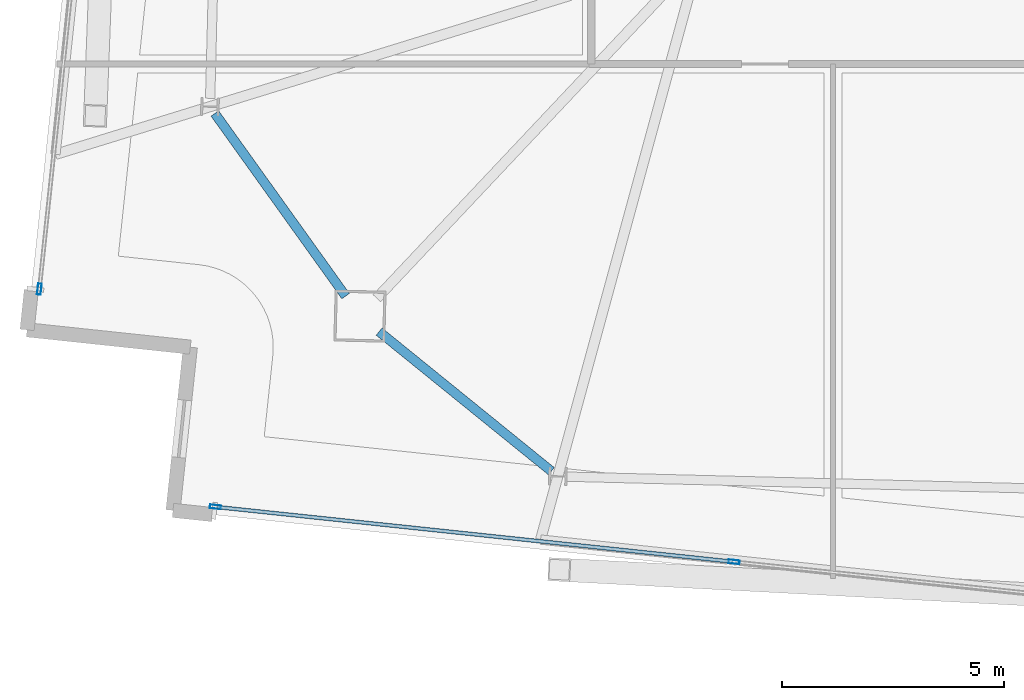
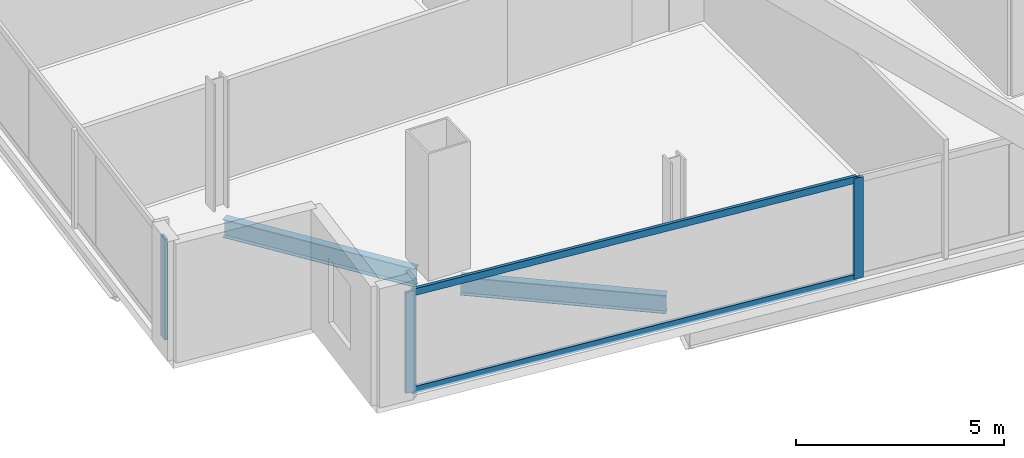
# One storey, part 2 of 24: 5 members, 2 beams, 2 elements without a shape of their own.
"""IFC4 building model written with IfcOpenShell, lengths in metres."""

import ifcopenshell
import ifcopenshell.guid

model = None  # the IFC model being written
_history = None  # IfcOwnerHistory: only IFC2X3 demands one
_inside = {}  # id of a spatial element -> (the spatial element, [elements in it])
_under = {}  # id of a project, library or spatial element -> (it, [spatial elements below it])
_declared = {}  # id of a project -> (the project, [libraries it declares])
_typed = {}  # id of a type object -> (the type object, [elements of that type])
_made_of = {}  # id of a material, layer set ... -> (it, [elements and type objects made of it])


def new_model(schema):
    """Start an empty IFC model of exactly this schema.

    Asked for "IFC4X3", IfcOpenShell would pick the latest addendum, in which some entities
    have other attributes; the version numbers below select the first issue.
    IFC2X3 requires an IfcOwnerHistory on every rooted entity: one is made here for all.
    """
    global model, _history
    if schema == "IFC4X3":
        model = ifcopenshell.file(schema_version=(4, 3, 0, 0))
    else:
        model = ifcopenshell.file(schema=schema)
    _inside.clear()
    _under.clear()
    _declared.clear()
    _typed.clear()
    _made_of.clear()
    _history = None
    if model.schema == "IFC2X3":
        org = make("IfcOrganization", Name="unknown")
        user = make(
            "IfcPersonAndOrganization",
            ThePerson=make("IfcPerson", FamilyName="unknown"),
            TheOrganization=org,
        )
        app = make(
            "IfcApplication",
            ApplicationDeveloper=org,
            Version="unknown",
            ApplicationFullName="unknown",
            ApplicationIdentifier="unknown",
        )
        _history = make(
            "IfcOwnerHistory",
            OwningUser=user,
            OwningApplication=app,
            ChangeAction="ADDED",
            CreationDate=0,
        )
    return model


def make(cls, **values):
    """One entity of the class cls with the attributes given. An attribute that is None is left unset."""
    return model.create_entity(
        cls, **{name: value for name, value in values.items() if value is not None}
    )


def rooted(cls, **values):
    """An entity with a GlobalId (a new one), such as an element, a storey or a relation."""
    return make(cls, GlobalId=ifcopenshell.guid.new(), OwnerHistory=_history, **values)


def si_unit(unit_type, name, prefix=None):
    """IfcSIUnit, for example si_unit("LENGTHUNIT", "METRE", prefix="MILLI")."""
    return make("IfcSIUnit", UnitType=unit_type, Prefix=prefix, Name=name)


def assignment(units):
    """IfcUnitAssignment: the units of a project."""
    return None if units is None else make("IfcUnitAssignment", Units=units)


def point(xyz):
    """IfcCartesianPoint."""
    return None if xyz is None else make("IfcCartesianPoint", Coordinates=xyz)


def direction(xyz):
    """IfcDirection."""
    return None if xyz is None else make("IfcDirection", DirectionRatios=xyz)


def frame(location, z_axis=None, x_axis=None):
    """IfcAxis2Placement3D, a coordinate frame: its origin and axes. An axis left out is left unset."""
    return make(
        "IfcAxis2Placement3D",
        Location=point(location),
        Axis=direction(z_axis),
        RefDirection=direction(x_axis),
    )


def frame_2d(location, x_axis=None):
    """IfcAxis2Placement2D, a coordinate frame in the plane: its origin and x axis."""
    return make(
        "IfcAxis2Placement2D", Location=point(location), RefDirection=direction(x_axis)
    )


def origin():
    """The frame at (0, 0, 0) with its axes left unset."""
    return frame((0.0, 0.0, 0.0))


def origin_2d():
    """The frame at (0, 0) in the plane with its x axis left unset."""
    return frame_2d((0.0, 0.0))


def place(relative_to, where):
    """IfcLocalPlacement: puts the frame where relative to a parent placement (None: the world)."""
    return make(
        "IfcLocalPlacement", PlacementRelTo=relative_to, RelativePlacement=where
    )


def context(
    kind, dimensions, precision=None, world=None, true_north=None, identifier=None
):
    """IfcGeometricRepresentationContext, for example the 3D "Model" context."""
    return make(
        "IfcGeometricRepresentationContext",
        ContextIdentifier=identifier,
        ContextType=kind,
        CoordinateSpaceDimension=dimensions,
        Precision=precision,
        WorldCoordinateSystem=world,
        TrueNorth=true_north,
    )


def subcontext(parent, identifier, kind, view, scale=None):
    """IfcGeometricRepresentationSubContext, for example "Body" below "Model"."""
    return make(
        "IfcGeometricRepresentationSubContext",
        ContextIdentifier=identifier,
        ContextType=kind,
        ParentContext=parent,
        TargetScale=scale,
        TargetView=view,
    )


def project(units=None, contexts=None):
    """IfcProject with its units and contexts."""
    return rooted(
        "IfcProject",
        Name="project",
        RepresentationContexts=contexts,
        UnitsInContext=assignment(units),
    )


def spatial(cls, under=None, at=None, **own):
    """A site, building, storey or space (cls), placed at a placement, below another one or the project."""
    s = rooted(cls, ObjectPlacement=at, **own)
    if under is not None:
        _under.setdefault(under.id(), (under, []))[1].append(s)
    return s


def profile(cls, at=None, kind="AREA", **sizes):
    """A parametric profile (cls). Its sizes go by their IFC names, for example OverallWidth=200.0."""
    return make(cls, ProfileType=kind, Position=at, **sizes)


def hollow_rectangle(**sizes):
    """IfcRectangleHollowProfileDef."""
    return profile("IfcRectangleHollowProfileDef", **sizes)


def i_section(**sizes):
    """IfcIShapeProfileDef."""
    return profile("IfcIShapeProfileDef", **sizes)


def extrude(swept, where, along, depth):
    """IfcExtrudedAreaSolid: the profile swept, set in the frame where, extruded along a direction by depth."""
    return make(
        "IfcExtrudedAreaSolid",
        SweptArea=swept,
        Position=where,
        ExtrudedDirection=direction(along),
        Depth=depth,
    )


def shape(context_of_items, identifier, shape_type, items):
    """IfcShapeRepresentation: the items that make up one representation, for example the "Body"."""
    return make(
        "IfcShapeRepresentation",
        ContextOfItems=context_of_items,
        RepresentationIdentifier=identifier,
        RepresentationType=shape_type,
        Items=items,
    )


def material(Name=None, Category=None):
    """IfcMaterial."""
    return make("IfcMaterial", Name=Name, Category=Category)


def material_profile(
    of_material, cross_section, Name=None, Category=None, Priority=None
):
    """IfcMaterialProfile: a cross section and its material."""
    return make(
        "IfcMaterialProfile",
        Name=Name,
        Material=of_material,
        Profile=cross_section,
        Priority=Priority,
        Category=Category,
    )


def profile_set(profiles, Name=None, composite=None):
    """IfcMaterialProfileSet."""
    return make(
        "IfcMaterialProfileSet",
        Name=Name,
        MaterialProfiles=profiles,
        CompositeProfile=composite,
    )


def made_of(thing, what):
    """Note that an element or type object is made of a material, layer set ...; save() writes the relation."""
    if what is not None:
        _made_of.setdefault(what.id(), (what, []))[1].append(thing)
    return thing


def type_object(cls, material=None, **own):
    """A type object (cls), such as IfcWallType, which elements share."""
    return made_of(rooted(cls, **own), material)


def element(
    cls,
    number,
    at=None,
    inside=None,
    cuts=None,
    type_object=None,
    material=None,
    context=None,
    identifier="Body",
    shape_type=None,
    held_by="IfcProductDefinitionShape",
    body=None,
    shapes=None,
    **own,
):
    """One element of the class cls, such as IfcWall. Its Tag is "e" and its number.

    at: its placement. inside: the storey or other place that contains it. cuts: it is an
    opening in that element (IfcRelVoidsElement). A single representation is given by context,
    identifier, shape_type and body (its items); several are given by shapes. held_by: the class
    of the entity that holds the representations. save() writes the other relations.
    """
    e = rooted(cls, Tag="e%d" % number, ObjectPlacement=at, **own)
    if body is not None:
        shapes = [shape(context, identifier, shape_type, body)]
    if shapes is not None:
        e.Representation = make(held_by, Representations=shapes)
    if inside is not None:
        _inside.setdefault(inside.id(), (inside, []))[1].append(e)
    if cuts is not None:
        rooted(
            "IfcRelVoidsElement", RelatingBuildingElement=cuts, RelatedOpeningElement=e
        )
    if type_object is not None:
        _typed.setdefault(type_object.id(), (type_object, []))[1].append(e)
    return made_of(e, material)


def aggregate(whole, parts):
    """IfcRelAggregates: a whole, such as a stair, and the parts it consists of."""
    return rooted("IfcRelAggregates", RelatingObject=whole, RelatedObjects=parts)


def save(model, path):
    """Write the relations noted so far, then the file.

    IfcRelAggregates (storeys below a building ...), IfcRelContainedInSpatialStructure (elements
    in a storey), IfcRelDefinesByType, IfcRelAssociatesMaterial and IfcRelDeclares: one each for
    every whole, place, type object, material and project.
    """
    for whole, parts in _under.values():
        aggregate(whole, parts)
    for where, things in _inside.values():
        rooted(
            "IfcRelContainedInSpatialStructure",
            RelatedElements=things,
            RelatingStructure=where,
        )
    for kind, things in _typed.values():
        rooted("IfcRelDefinesByType", RelatedObjects=things, RelatingType=kind)
    for what, things in _made_of.values():
        rooted("IfcRelAssociatesMaterial", RelatedObjects=things, RelatingMaterial=what)
    for by, libraries in _declared.values():
        rooted("IfcRelDeclares", RelatingContext=by, RelatedDefinitions=libraries)
    model.write(path)


model = new_model("IFC4")

# Units and contexts
model_context = context("Model", 3, precision=1e-05, world=origin(), true_north=direction((0.0, 1.0)))
body_context = subcontext(model_context, "Body", "Model", "MODEL_VIEW")
ifc_project = project(units=[si_unit("LENGTHUNIT", "METRE"), si_unit("AREAUNIT", "SQUARE_METRE"), si_unit("VOLUMEUNIT", "CUBIC_METRE"), si_unit("PLANEANGLEUNIT", "RADIAN"), si_unit("MASSUNIT", "GRAM", prefix="KILO")], contexts=[model_context])

# Site, building, storey
site_placement = place(None, origin())
site = spatial("IfcSite", under=ifc_project, at=site_placement, CompositionType="ELEMENT")
building_placement = place(site_placement, origin())
building = spatial("IfcBuilding", under=site, at=building_placement, Name="Haldenkirk Collegiate Tower", CompositionType="ELEMENT")
storey_placement = place(building_placement, frame((0.0, 0.0, 310.199951171875)))
storey = spatial("IfcBuildingStorey", under=building, at=storey_placement, Name="L78", CompositionType="ELEMENT", Elevation=310.199951171875)

# Beams
ifc_material_1 = material(Name="Steel ASTM A992 Grade 50", Category="steel")
ifc_material_profile_1 = material_profile(ifc_material_1, i_section(OverallWidth=0.2099609375, OverallDepth=0.537109375, WebThickness=0.010986328125, FlangeThickness=0.017333984375, at=origin_2d()), Name="W21X68")
ifc_profile_set_1 = profile_set([ifc_material_profile_1], Name="Steel ASTM A992 Grade 50")
beam_type = type_object("IfcBeamType", Name="BM-SPANDREL-W21X68", PredefinedType="SPANDREL", material=ifc_profile_set_1)
beam_1_placement = place(storey_placement, frame((16.064208984375, 14.434814453125, -0.528564453125), z_axis=(0.582300220922, -0.812973832737, 0.0), x_axis=(0.812973832737, 0.582300220922, 0.0)))
element("IfcBeam", 1, at=beam_1_placement, inside=storey, type_object=beam_type, Name="L78 perimeter spandrel beam 12", PredefinedType="SPANDREL", context=body_context, shape_type="SweptSolid", body=[
    extrude(i_section(OverallWidth=0.2099609375, OverallDepth=0.537109375, WebThickness=0.010986328125, FlangeThickness=0.017333984375, at=origin_2d()), origin(), (0.0, 0.0, 1.0), 5.064453125),
])
beam_2_placement = place(storey_placement, frame((19.767578125, 9.51708984375, -0.528564453125), z_axis=(0.776950131303, -0.629562144247, 0.0), x_axis=(0.629562144247, 0.776950131303, 0.0)))
element("IfcBeam", 2, at=beam_2_placement, inside=storey, type_object=beam_type, Name="L78 perimeter spandrel beam 13", PredefinedType="SPANDREL", context=body_context, shape_type="SweptSolid", body=[
    extrude(i_section(OverallWidth=0.2099609375, OverallDepth=0.537109375, WebThickness=0.010986328125, FlangeThickness=0.017333984375, at=origin_2d()), origin(), (0.0, 0.0, 1.0), 4.99755859375),
])

# Curtain wall, member
ifc_material_2 = material(Name="Anodised architectural bronze aluminium", Category="aluminium")
curtain_wall_type = type_object("IfcCurtainWallType", Name="CW-SYS1B-CONVEX-HI", PredefinedType="USERDEFINED", material=ifc_material_2)
curtain_wall_1_placement = place(storey_placement, origin())
curtain_wall_1 = element("IfcCurtainWall", 3, at=curtain_wall_1_placement, inside=storey, type_object=curtain_wall_type, Name="L78 Upper tower high-wind convex bronze unitised curtain wall", ObjectType="UNITISED CURTAIN WALL", PredefinedType="USERDEFINED")
ifc_material_profile_2 = material_profile(ifc_material_2, hollow_rectangle(XDim=0.0849609375, YDim=0.25, WallThickness=0.0048828125, at=origin_2d()), Name="CW-MUL-1B")
ifc_profile_set_2 = profile_set([ifc_material_profile_2], Name="Anodised architectural bronze aluminium")
member_type_1 = type_object("IfcMemberType", Name="CW-MUL-1B", PredefinedType="MULLION", material=ifc_profile_set_2)
member_1_placement = place(storey_placement, frame((12.110595703125, 10.473876953125, 0.0), z_axis=(0.0, 0.0, 1.0), x_axis=(-0.994430496515, 0.105394438184, 0.0)))
member_1 = element("IfcMember", 4, at=member_1_placement, type_object=member_type_1, Name="CW-1B mullion 1", PredefinedType="MULLION", context=body_context, shape_type="SweptSolid", body=[
    extrude(hollow_rectangle(XDim=0.0849609375, YDim=0.25, WallThickness=0.0048828125, at=origin_2d()), origin(), (0.0, 0.0, 1.0), 2.947998046875),
])
aggregate(curtain_wall_1, [member_1])

# Curtain wall, members
curtain_wall_2_placement = place(storey_placement, origin())
curtain_wall_2 = element("IfcCurtainWall", 5, at=curtain_wall_2_placement, inside=storey, type_object=curtain_wall_type, Name="L78 Upper tower high-wind convex bronze unitised curtain wall", ObjectType="UNITISED CURTAIN WALL", PredefinedType="USERDEFINED")
member_2_placement = place(storey_placement, frame((27.769775390625, 4.32666015625, 0.0), z_axis=(0.0, 0.0, 1.0), x_axis=(-0.10539279234, -0.994430670948, 0.0)))
member_2 = element("IfcMember", 6, at=member_2_placement, type_object=member_type_1, Name="CW-1B mullion 3", PredefinedType="MULLION", context=body_context, shape_type="SweptSolid", body=[
    extrude(hollow_rectangle(XDim=0.0849609375, YDim=0.25, WallThickness=0.0048828125, at=origin_2d()), origin(), (0.0, 0.0, 1.0), 2.947998046875),
])
member_3_placement = place(storey_placement, frame((16.077880859375, 5.56591796875, 0.0), z_axis=(0.0, 0.0, 1.0), x_axis=(-0.10539279234, -0.994430670948, 0.0)))
member_3 = element("IfcMember", 7, at=member_3_placement, type_object=member_type_1, Name="CW-1B mullion 4", PredefinedType="MULLION", context=body_context, shape_type="SweptSolid", body=[
    extrude(hollow_rectangle(XDim=0.0849609375, YDim=0.25, WallThickness=0.0048828125, at=origin_2d()), origin(), (0.0, 0.0, 1.0), 2.947998046875),
])
ifc_material_profile_3 = material_profile(ifc_material_2, hollow_rectangle(XDim=0.0849609375, YDim=0.199951171875, WallThickness=0.0048828125, at=origin_2d()), Name="CW-TRN-1B")
ifc_profile_set_3 = profile_set([ifc_material_profile_3], Name="Anodised architectural bronze aluminium")
member_type_2 = type_object("IfcMemberType", Name="CW-TRN-1B", PredefinedType="USERDEFINED", material=ifc_profile_set_3)
member_4_placement = place(storey_placement, frame((27.7275390625, 4.3310546875, 0.04248046875), z_axis=(-0.994430359613, 0.105395729894, 0.0), x_axis=(-0.105395729894, -0.994430359613, 0.0)))
member_4 = element("IfcMember", 8, at=member_4_placement, type_object=member_type_2, Name="CW-1B transom 3.1", ObjectType="TRANSOM", PredefinedType="USERDEFINED", context=body_context, shape_type="SweptSolid", body=[
    extrude(hollow_rectangle(XDim=0.0849609375, YDim=0.199951171875, WallThickness=0.0048828125, at=origin_2d()), origin(), (0.0, 0.0, 1.0), 11.67236328125),
])
member_5_placement = place(storey_placement, frame((27.7275390625, 4.3310546875, 2.905517578125), z_axis=(-0.994430359613, 0.105395729894, 0.0), x_axis=(-0.105395729894, -0.994430359613, 0.0)))
member_5 = element("IfcMember", 9, at=member_5_placement, type_object=member_type_2, Name="CW-1B transom 3.2", ObjectType="TRANSOM", PredefinedType="USERDEFINED", context=body_context, shape_type="SweptSolid", body=[
    extrude(hollow_rectangle(XDim=0.0849609375, YDim=0.199951171875, WallThickness=0.0048828125, at=origin_2d()), origin(), (0.0, 0.0, 1.0), 11.67236328125),
])
aggregate(curtain_wall_2, [member_2, member_3, member_4, member_5])

save(model, "model.ifc")
